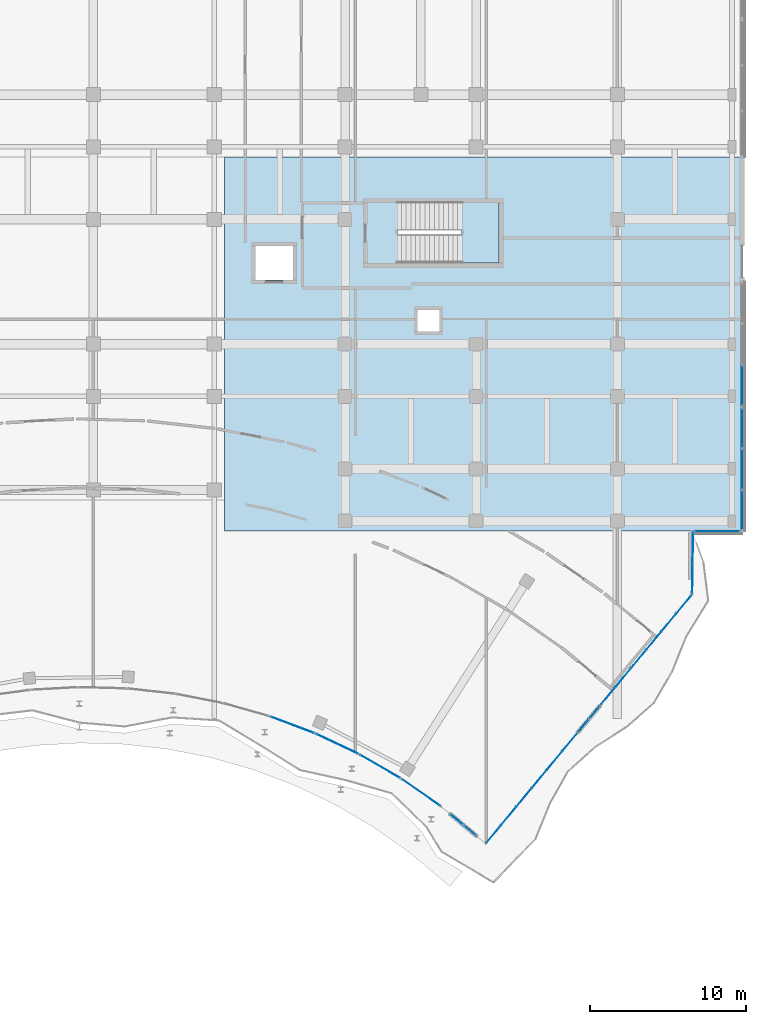
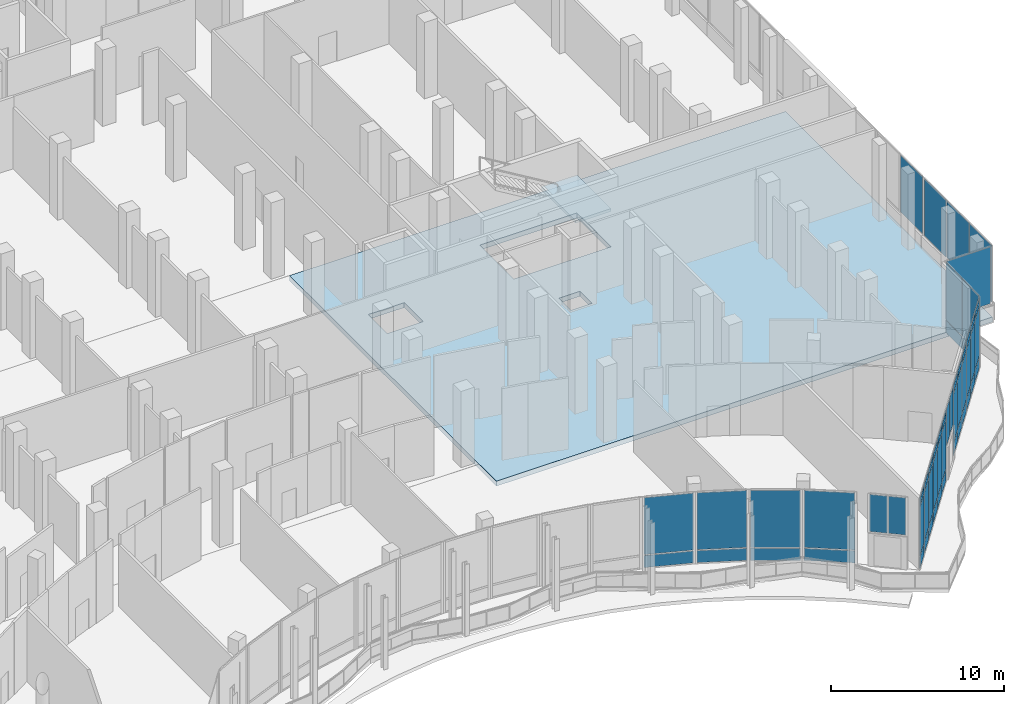
# One storey, part 130 of 158: 57 plates, 2 slabs, 13 elements without a shape of their own.
"""IFC4 building model written with IfcOpenShell, lengths in metres."""

from ifc_helpers import new_model, si_unit, direction, frame, origin, origin_2d, place, context, subcontext, project, spatial, polyline, rectangle, outline, extrude, material, layer, layer_set, type_object, element, aggregate, save


model = new_model("IFC4")

# Units and contexts
model_context = context("Model", 3, precision=1e-05, world=origin(), true_north=direction((0.0, 1.0)))
body_context = subcontext(model_context, "Body", "Model", "MODEL_VIEW")
ifc_project = project(units=[si_unit("LENGTHUNIT", "METRE"), si_unit("AREAUNIT", "SQUARE_METRE"), si_unit("VOLUMEUNIT", "CUBIC_METRE"), si_unit("PLANEANGLEUNIT", "RADIAN"), si_unit("MASSUNIT", "GRAM", prefix="KILO")], contexts=[model_context])

# Site, building, storey
site_placement = place(None, origin())
site = spatial("IfcSite", under=ifc_project, at=site_placement, CompositionType="ELEMENT")
building_placement = place(site_placement, origin())
building = spatial("IfcBuilding", under=site, at=building_placement, Name="Selatvlak General Hospital", CompositionType="ELEMENT")
storey_placement = place(building_placement, origin())
storey = spatial("IfcBuildingStorey", under=building, at=storey_placement, Name="L00", CompositionType="ELEMENT", Elevation=0.0)

# Curtain wall, plate
ifc_material_1 = material(Name="Solar-control Low-E double glazing", Category="glass")
curtain_wall_type_1 = type_object("IfcCurtainWallType", Name="CW-CW-01", PredefinedType="USERDEFINED", material=ifc_material_1)
curtain_wall_1_placement = place(storey_placement, origin())
curtain_wall_1 = element("IfcCurtainWall", 1, at=curtain_wall_1_placement, inside=storey, type_object=curtain_wall_type_1, Name="Glazed facade curtain wall CW-L00-0016", ObjectType="UNITISED CURTAIN WALL", PredefinedType="USERDEFINED")
ifc_layer_1 = layer(ifc_material_1, 0.028076171875, Name="Solar-control Low-E double glazing", Category="glass")
ifc_layer_set_1 = layer_set([ifc_layer_1], Name="Solar-control Low-E double glazing")
plate_type = type_object("IfcPlateType", Name="CWP-01", PredefinedType="CURTAIN_PANEL", material=ifc_layer_set_1)
plate_1_placement = place(storey_placement, frame((182.0, 73.360595703125, 1.0048828125), z_axis=(0.0, 0.0, 1.0), x_axis=(0.0, -1.0, 0.0)))
plate_1 = element("IfcPlate", 2, at=plate_1_placement, type_object=plate_type, Name="CW-01 panel 3.1", PredefinedType="CURTAIN_PANEL", context=body_context, shape_type="SweptSolid", body=[
    extrude(rectangle(XDim=2.55908203125, YDim=0.028076171875, at=origin_2d()), origin(), (0.0, 0.0, 1.0), 4.010009765625),
])
aggregate(curtain_wall_1, [plate_1])

# Curtain wall, plates
curtain_wall_type_2 = type_object("IfcCurtainWallType", Name="CW-CW-02", PredefinedType="USERDEFINED", material=ifc_material_1)
curtain_wall_2_placement = place(storey_placement, origin())
curtain_wall_2 = element("IfcCurtainWall", 3, at=curtain_wall_2_placement, inside=storey, type_object=curtain_wall_type_2, Name="Glazed facade curtain wall CW-L00-0017", ObjectType="UNITISED CURTAIN WALL", PredefinedType="USERDEFINED")
plate_2_placement = place(storey_placement, frame((182.0, 70.599853515625, 1.0048828125), z_axis=(0.0, 0.0, 1.0), x_axis=(0.0, -1.0, 0.0)))
plate_2 = element("IfcPlate", 4, at=plate_2_placement, type_object=plate_type, Name="CW-02 panel 1.1", PredefinedType="CURTAIN_PANEL", context=body_context, shape_type="SweptSolid", body=[
    extrude(rectangle(XDim=2.54248046875, YDim=0.028076171875, at=origin_2d()), origin(), (0.0, 0.0, 1.0), 4.010009765625),
])
plate_3_placement = place(storey_placement, frame((182.0, 67.97607421875, 1.0048828125), z_axis=(0.0, 0.0, 1.0), x_axis=(0.0, -1.0, 0.0)))
plate_3 = element("IfcPlate", 5, at=plate_3_placement, type_object=plate_type, Name="CW-02 panel 2.1", PredefinedType="CURTAIN_PANEL", context=body_context, shape_type="SweptSolid", body=[
    extrude(rectangle(XDim=2.574951171875, YDim=0.028076171875, at=origin_2d()), origin(), (0.0, 0.0, 1.0), 4.010009765625),
])
plate_4_placement = place(storey_placement, frame((182.0, 65.352294921875, 1.0048828125), z_axis=(0.0, 0.0, 1.0), x_axis=(0.0, -1.0, 0.0)))
plate_4 = element("IfcPlate", 6, at=plate_4_placement, type_object=plate_type, Name="CW-02 panel 3.1", PredefinedType="CURTAIN_PANEL", context=body_context, shape_type="SweptSolid", body=[
    extrude(rectangle(XDim=2.54248046875, YDim=0.028076171875, at=origin_2d()), origin(), (0.0, 0.0, 1.0), 4.010009765625),
])
aggregate(curtain_wall_2, [plate_2, plate_3, plate_4])

# Curtain wall, plate
curtain_wall_3_placement = place(storey_placement, origin())
curtain_wall_3 = element("IfcCurtainWall", 7, at=curtain_wall_3_placement, inside=storey, type_object=curtain_wall_type_2, Name="Glazed facade curtain wall CW-L00-0018", ObjectType="UNITISED CURTAIN WALL", PredefinedType="USERDEFINED")
plate_5_placement = place(storey_placement, frame((180.405029296875, 64.00048828125, 1.0048828125), z_axis=(0.0, 0.0, 1.0), x_axis=(-0.999999946602, -0.000326797363, 0.0)))
plate_5 = element("IfcPlate", 8, at=plate_5_placement, type_object=plate_type, Name="CW-02 panel 1.1", PredefinedType="CURTAIN_PANEL", context=body_context, shape_type="SweptSolid", body=[
    extrude(rectangle(XDim=2.929931640625, YDim=0.028076171875, at=origin_2d()), origin(), (0.0, 0.0, 1.0), 4.010009765625),
])
aggregate(curtain_wall_3, [plate_5])

# Curtain wall, plates
curtain_wall_4_placement = place(storey_placement, origin())
curtain_wall_4 = element("IfcCurtainWall", 9, at=curtain_wall_4_placement, inside=storey, type_object=curtain_wall_type_1, Name="Glazed facade curtain wall CW-L00-0019", ObjectType="UNITISED CURTAIN WALL", PredefinedType="USERDEFINED")
plate_6_placement = place(storey_placement, frame((178.8447265625, 62.9638671875, 0.06494140625), z_axis=(0.0, 0.0, 1.0), x_axis=(-0.014923710969, -0.999888635224, 0.0)))
plate_6 = element("IfcPlate", 10, at=plate_6_placement, type_object=plate_type, Name="CW-01 panel 1.1", PredefinedType="CURTAIN_PANEL", context=body_context, shape_type="SweptSolid", body=[
    extrude(rectangle(XDim=1.912841796875, YDim=0.028076171875, at=origin_2d()), origin(), (0.0, 0.0, 1.0), 0.8525390625),
])
plate_7_placement = place(storey_placement, frame((178.8447265625, 62.9638671875, 0.982421875), z_axis=(0.0, 0.0, 1.0), x_axis=(-0.014923710969, -0.999888635224, 0.0)))
plate_7 = element("IfcPlate", 11, at=plate_7_placement, type_object=plate_type, Name="CW-01 panel 1.2", PredefinedType="CURTAIN_PANEL", context=body_context, shape_type="SweptSolid", body=[
    extrude(rectangle(XDim=1.912841796875, YDim=0.028076171875, at=origin_2d()), origin(), (0.0, 0.0, 1.0), 4.032470703125),
])
plate_8_placement = place(storey_placement, frame((178.815185546875, 60.986328125, 0.06494140625), z_axis=(0.0, 0.0, 1.0), x_axis=(-0.014923710969, -0.999888635224, 0.0)))
plate_8 = element("IfcPlate", 12, at=plate_8_placement, type_object=plate_type, Name="CW-01 panel 2.1", PredefinedType="CURTAIN_PANEL", context=body_context, shape_type="SweptSolid", body=[
    extrude(rectangle(XDim=1.912841796875, YDim=0.028076171875, at=origin_2d()), origin(), (0.0, 0.0, 1.0), 0.8525390625),
])
plate_9_placement = place(storey_placement, frame((178.815185546875, 60.986328125, 0.982421875), z_axis=(0.0, 0.0, 1.0), x_axis=(-0.014923710969, -0.999888635224, 0.0)))
plate_9 = element("IfcPlate", 13, at=plate_9_placement, type_object=plate_type, Name="CW-01 panel 2.2", PredefinedType="CURTAIN_PANEL", context=body_context, shape_type="SweptSolid", body=[
    extrude(rectangle(XDim=1.912841796875, YDim=0.028076171875, at=origin_2d()), origin(), (0.0, 0.0, 1.0), 4.032470703125),
])
aggregate(curtain_wall_4, [plate_6, plate_7, plate_8, plate_9])

curtain_wall_5_placement = place(storey_placement, origin())
curtain_wall_5 = element("IfcCurtainWall", 14, at=curtain_wall_5_placement, inside=storey, type_object=curtain_wall_type_2, Name="Glazed facade curtain wall CW-L00-0020", ObjectType="UNITISED CURTAIN WALL", PredefinedType="USERDEFINED")
plate_10_placement = place(storey_placement, frame((172.532958984375, 52.380615234375, 2.385009765625), z_axis=(0.0, 0.0, 1.0), x_axis=(-0.6378834291, -0.770132930655, 0.0)))
plate_10 = element("IfcPlate", 15, at=plate_10_placement, type_object=plate_type, Name="CW-02 panel 1.1", PredefinedType="CURTAIN_PANEL", context=body_context, shape_type="SweptSolid", body=[
    extrude(rectangle(XDim=1.03662109375, YDim=0.028076171875, at=origin_2d()), origin(), (0.0, 0.0, 1.0), 2.6298828125),
])
plate_11_placement = place(storey_placement, frame((171.830078125, 51.5322265625, 2.385009765625), z_axis=(0.0, 0.0, 1.0), x_axis=(-0.6378834291, -0.770132930655, 0.0)))
plate_11 = element("IfcPlate", 16, at=plate_11_placement, type_object=plate_type, Name="CW-02 panel 2.1", PredefinedType="CURTAIN_PANEL", context=body_context, shape_type="SweptSolid", body=[
    extrude(rectangle(XDim=1.03662109375, YDim=0.028076171875, at=origin_2d()), origin(), (0.0, 0.0, 1.0), 2.6298828125),
])
aggregate(curtain_wall_5, [plate_10, plate_11])

curtain_wall_6_placement = place(storey_placement, origin())
curtain_wall_6 = element("IfcCurtainWall", 17, at=curtain_wall_6_placement, inside=storey, type_object=curtain_wall_type_1, Name="Glazed facade curtain wall CW-L00-0021", ObjectType="UNITISED CURTAIN WALL", PredefinedType="USERDEFINED")
plate_12_placement = place(storey_placement, frame((178.261474609375, 59.29931640625, 0.06494140625), z_axis=(0.0, 0.0, 1.0), x_axis=(-0.637739992245, -0.770251713592, 0.0)))
plate_12 = element("IfcPlate", 18, at=plate_12_placement, type_object=plate_type, Name="CW-01 panel 1.1", PredefinedType="CURTAIN_PANEL", context=body_context, shape_type="SweptSolid", body=[
    extrude(rectangle(XDim=1.427001953125, YDim=0.028076171875, at=origin_2d()), origin(), (0.0, 0.0, 1.0), 0.802490234375),
])
plate_13_placement = place(storey_placement, frame((178.261474609375, 59.29931640625, 0.9326171875), z_axis=(0.0, 0.0, 1.0), x_axis=(-0.637739992245, -0.770251713592, 0.0)))
plate_13 = element("IfcPlate", 19, at=plate_13_placement, type_object=plate_type, Name="CW-01 panel 1.2", PredefinedType="CURTAIN_PANEL", context=body_context, shape_type="SweptSolid", body=[
    extrude(rectangle(XDim=1.427001953125, YDim=0.028076171875, at=origin_2d()), origin(), (0.0, 0.0, 1.0), 3.465087890625),
])
plate_14_placement = place(storey_placement, frame((178.261474609375, 59.29931640625, 4.46240234375), z_axis=(0.0, 0.0, 1.0), x_axis=(-0.637739992245, -0.770251713592, 0.0)))
plate_14 = element("IfcPlate", 20, at=plate_14_placement, type_object=plate_type, Name="CW-01 panel 1.3", PredefinedType="CURTAIN_PANEL", context=body_context, shape_type="SweptSolid", body=[
    extrude(rectangle(XDim=1.427001953125, YDim=0.028076171875, at=origin_2d()), origin(), (0.0, 0.0, 1.0), 0.552490234375),
])
plate_15_placement = place(storey_placement, frame((177.2998046875, 58.1376953125, 0.06494140625), z_axis=(0.0, 0.0, 1.0), x_axis=(-0.637739992245, -0.770251713592, 0.0)))
plate_15 = element("IfcPlate", 21, at=plate_15_placement, type_object=plate_type, Name="CW-01 panel 2.1", PredefinedType="CURTAIN_PANEL", context=body_context, shape_type="SweptSolid", body=[
    extrude(rectangle(XDim=1.45947265625, YDim=0.028076171875, at=origin_2d()), origin(), (0.0, 0.0, 1.0), 0.802490234375),
])
plate_16_placement = place(storey_placement, frame((177.2998046875, 58.1376953125, 0.9326171875), z_axis=(0.0, 0.0, 1.0), x_axis=(-0.637739992245, -0.770251713592, 0.0)))
plate_16 = element("IfcPlate", 22, at=plate_16_placement, type_object=plate_type, Name="CW-01 panel 2.2", PredefinedType="CURTAIN_PANEL", context=body_context, shape_type="SweptSolid", body=[
    extrude(rectangle(XDim=1.45947265625, YDim=0.028076171875, at=origin_2d()), origin(), (0.0, 0.0, 1.0), 3.465087890625),
])
plate_17_placement = place(storey_placement, frame((177.2998046875, 58.1376953125, 4.46240234375), z_axis=(0.0, 0.0, 1.0), x_axis=(-0.637739992245, -0.770251713592, 0.0)))
plate_17 = element("IfcPlate", 23, at=plate_17_placement, type_object=plate_type, Name="CW-01 panel 2.3", PredefinedType="CURTAIN_PANEL", context=body_context, shape_type="SweptSolid", body=[
    extrude(rectangle(XDim=1.45947265625, YDim=0.028076171875, at=origin_2d()), origin(), (0.0, 0.0, 1.0), 0.552490234375),
])
plate_18_placement = place(storey_placement, frame((176.32763671875, 56.963623046875, 0.06494140625), z_axis=(0.0, 0.0, 1.0), x_axis=(-0.637739992245, -0.770251713592, 0.0)))
plate_18 = element("IfcPlate", 24, at=plate_18_placement, type_object=plate_type, Name="CW-01 panel 3.1", PredefinedType="CURTAIN_PANEL", context=body_context, shape_type="SweptSolid", body=[
    extrude(rectangle(XDim=1.45947265625, YDim=0.028076171875, at=origin_2d()), origin(), (0.0, 0.0, 1.0), 0.802490234375),
])
plate_19_placement = place(storey_placement, frame((176.32763671875, 56.963623046875, 0.9326171875), z_axis=(0.0, 0.0, 1.0), x_axis=(-0.637739992245, -0.770251713592, 0.0)))
plate_19 = element("IfcPlate", 25, at=plate_19_placement, type_object=plate_type, Name="CW-01 panel 3.2", PredefinedType="CURTAIN_PANEL", context=body_context, shape_type="SweptSolid", body=[
    extrude(rectangle(XDim=1.45947265625, YDim=0.028076171875, at=origin_2d()), origin(), (0.0, 0.0, 1.0), 3.465087890625),
])
plate_20_placement = place(storey_placement, frame((176.32763671875, 56.963623046875, 4.46240234375), z_axis=(0.0, 0.0, 1.0), x_axis=(-0.637739992245, -0.770251713592, 0.0)))
plate_20 = element("IfcPlate", 26, at=plate_20_placement, type_object=plate_type, Name="CW-01 panel 3.3", PredefinedType="CURTAIN_PANEL", context=body_context, shape_type="SweptSolid", body=[
    extrude(rectangle(XDim=1.45947265625, YDim=0.028076171875, at=origin_2d()), origin(), (0.0, 0.0, 1.0), 0.552490234375),
])
plate_21_placement = place(storey_placement, frame((175.35546875, 55.789306640625, 0.06494140625), z_axis=(0.0, 0.0, 1.0), x_axis=(-0.637739992245, -0.770251713592, 0.0)))
plate_21 = element("IfcPlate", 27, at=plate_21_placement, type_object=plate_type, Name="CW-01 panel 4.1", PredefinedType="CURTAIN_PANEL", context=body_context, shape_type="SweptSolid", body=[
    extrude(rectangle(XDim=1.45947265625, YDim=0.028076171875, at=origin_2d()), origin(), (0.0, 0.0, 1.0), 0.802490234375),
])
plate_22_placement = place(storey_placement, frame((175.35546875, 55.789306640625, 0.9326171875), z_axis=(0.0, 0.0, 1.0), x_axis=(-0.637739992245, -0.770251713592, 0.0)))
plate_22 = element("IfcPlate", 28, at=plate_22_placement, type_object=plate_type, Name="CW-01 panel 4.2", PredefinedType="CURTAIN_PANEL", context=body_context, shape_type="SweptSolid", body=[
    extrude(rectangle(XDim=1.45947265625, YDim=0.028076171875, at=origin_2d()), origin(), (0.0, 0.0, 1.0), 3.465087890625),
])
plate_23_placement = place(storey_placement, frame((175.35546875, 55.789306640625, 4.46240234375), z_axis=(0.0, 0.0, 1.0), x_axis=(-0.637739992245, -0.770251713592, 0.0)))
plate_23 = element("IfcPlate", 29, at=plate_23_placement, type_object=plate_type, Name="CW-01 panel 4.3", PredefinedType="CURTAIN_PANEL", context=body_context, shape_type="SweptSolid", body=[
    extrude(rectangle(XDim=1.45947265625, YDim=0.028076171875, at=origin_2d()), origin(), (0.0, 0.0, 1.0), 0.552490234375),
])
plate_24_placement = place(storey_placement, frame((174.38330078125, 54.615234375, 0.06494140625), z_axis=(0.0, 0.0, 1.0), x_axis=(-0.637739992245, -0.770251713592, 0.0)))
plate_24 = element("IfcPlate", 30, at=plate_24_placement, type_object=plate_type, Name="CW-01 panel 5.1", PredefinedType="CURTAIN_PANEL", context=body_context, shape_type="SweptSolid", body=[
    extrude(rectangle(XDim=1.45947265625, YDim=0.028076171875, at=origin_2d()), origin(), (0.0, 0.0, 1.0), 0.802490234375),
])
plate_25_placement = place(storey_placement, frame((174.38330078125, 54.615234375, 0.9326171875), z_axis=(0.0, 0.0, 1.0), x_axis=(-0.637739992245, -0.770251713592, 0.0)))
plate_25 = element("IfcPlate", 31, at=plate_25_placement, type_object=plate_type, Name="CW-01 panel 5.2", PredefinedType="CURTAIN_PANEL", context=body_context, shape_type="SweptSolid", body=[
    extrude(rectangle(XDim=1.45947265625, YDim=0.028076171875, at=origin_2d()), origin(), (0.0, 0.0, 1.0), 3.465087890625),
])
plate_26_placement = place(storey_placement, frame((174.38330078125, 54.615234375, 4.46240234375), z_axis=(0.0, 0.0, 1.0), x_axis=(-0.637739992245, -0.770251713592, 0.0)))
plate_26 = element("IfcPlate", 32, at=plate_26_placement, type_object=plate_type, Name="CW-01 panel 5.3", PredefinedType="CURTAIN_PANEL", context=body_context, shape_type="SweptSolid", body=[
    extrude(rectangle(XDim=1.45947265625, YDim=0.028076171875, at=origin_2d()), origin(), (0.0, 0.0, 1.0), 0.552490234375),
])
plate_27_placement = place(storey_placement, frame((173.42138671875, 53.45361328125, 0.06494140625), z_axis=(0.0, 0.0, 1.0), x_axis=(-0.637739992245, -0.770251713592, 0.0)))
plate_27 = element("IfcPlate", 33, at=plate_27_placement, type_object=plate_type, Name="CW-01 panel 6.1", PredefinedType="CURTAIN_PANEL", context=body_context, shape_type="SweptSolid", body=[
    extrude(rectangle(XDim=1.427001953125, YDim=0.028076171875, at=origin_2d()), origin(), (0.0, 0.0, 1.0), 0.802490234375),
])
plate_28_placement = place(storey_placement, frame((173.42138671875, 53.45361328125, 0.9326171875), z_axis=(0.0, 0.0, 1.0), x_axis=(-0.637739992245, -0.770251713592, 0.0)))
plate_28 = element("IfcPlate", 34, at=plate_28_placement, type_object=plate_type, Name="CW-01 panel 6.2", PredefinedType="CURTAIN_PANEL", context=body_context, shape_type="SweptSolid", body=[
    extrude(rectangle(XDim=1.427001953125, YDim=0.028076171875, at=origin_2d()), origin(), (0.0, 0.0, 1.0), 3.465087890625),
])
plate_29_placement = place(storey_placement, frame((173.42138671875, 53.45361328125, 4.46240234375), z_axis=(0.0, 0.0, 1.0), x_axis=(-0.637739992245, -0.770251713592, 0.0)))
plate_29 = element("IfcPlate", 35, at=plate_29_placement, type_object=plate_type, Name="CW-01 panel 6.3", PredefinedType="CURTAIN_PANEL", context=body_context, shape_type="SweptSolid", body=[
    extrude(rectangle(XDim=1.427001953125, YDim=0.028076171875, at=origin_2d()), origin(), (0.0, 0.0, 1.0), 0.552490234375),
])
aggregate(curtain_wall_6, [plate_12, plate_13, plate_14, plate_15, plate_16, plate_17, plate_18, plate_19, plate_20, plate_21, plate_22, plate_23, plate_24, plate_25, plate_26, plate_27, plate_28, plate_29])

curtain_wall_7_placement = place(storey_placement, origin())
curtain_wall_7 = element("IfcCurtainWall", 36, at=curtain_wall_7_placement, inside=storey, type_object=curtain_wall_type_1, Name="Glazed facade curtain wall CW-L00-0022", ObjectType="UNITISED CURTAIN WALL", PredefinedType="USERDEFINED")
plate_30_placement = place(storey_placement, frame((170.93896484375, 50.4560546875, 0.06494140625), z_axis=(0.0, 0.0, 1.0), x_axis=(-0.637721247938, -0.770267232802, 0.0)))
plate_30 = element("IfcPlate", 37, at=plate_30_placement, type_object=plate_type, Name="CW-01 panel 1.1", PredefinedType="CURTAIN_PANEL", context=body_context, shape_type="SweptSolid", body=[
    extrude(rectangle(XDim=1.435302734375, YDim=0.028076171875, at=origin_2d()), origin(), (0.0, 0.0, 1.0), 0.802490234375),
])
plate_31_placement = place(storey_placement, frame((170.93896484375, 50.4560546875, 0.9326171875), z_axis=(0.0, 0.0, 1.0), x_axis=(-0.637721247938, -0.770267232802, 0.0)))
plate_31 = element("IfcPlate", 38, at=plate_31_placement, type_object=plate_type, Name="CW-01 panel 1.2", PredefinedType="CURTAIN_PANEL", context=body_context, shape_type="SweptSolid", body=[
    extrude(rectangle(XDim=1.435302734375, YDim=0.028076171875, at=origin_2d()), origin(), (0.0, 0.0, 1.0), 3.465087890625),
])
plate_32_placement = place(storey_placement, frame((170.93896484375, 50.4560546875, 4.46240234375), z_axis=(0.0, 0.0, 1.0), x_axis=(-0.637721247938, -0.770267232802, 0.0)))
plate_32 = element("IfcPlate", 39, at=plate_32_placement, type_object=plate_type, Name="CW-01 panel 1.3", PredefinedType="CURTAIN_PANEL", context=body_context, shape_type="SweptSolid", body=[
    extrude(rectangle(XDim=1.435302734375, YDim=0.028076171875, at=origin_2d()), origin(), (0.0, 0.0, 1.0), 0.552490234375),
])
plate_33_placement = place(storey_placement, frame((169.9716796875, 49.2880859375, 0.06494140625), z_axis=(0.0, 0.0, 1.0), x_axis=(-0.637721247938, -0.770267232802, 0.0)))
plate_33 = element("IfcPlate", 40, at=plate_33_placement, type_object=plate_type, Name="CW-01 panel 2.1", PredefinedType="CURTAIN_PANEL", context=body_context, shape_type="SweptSolid", body=[
    extrude(rectangle(XDim=1.4677734375, YDim=0.028076171875, at=origin_2d()), origin(), (0.0, 0.0, 1.0), 0.802490234375),
])
plate_34_placement = place(storey_placement, frame((169.9716796875, 49.2880859375, 0.9326171875), z_axis=(0.0, 0.0, 1.0), x_axis=(-0.637721247938, -0.770267232802, 0.0)))
plate_34 = element("IfcPlate", 41, at=plate_34_placement, type_object=plate_type, Name="CW-01 panel 2.2", PredefinedType="CURTAIN_PANEL", context=body_context, shape_type="SweptSolid", body=[
    extrude(rectangle(XDim=1.4677734375, YDim=0.028076171875, at=origin_2d()), origin(), (0.0, 0.0, 1.0), 3.465087890625),
])
plate_35_placement = place(storey_placement, frame((169.9716796875, 49.2880859375, 4.46240234375), z_axis=(0.0, 0.0, 1.0), x_axis=(-0.637721247938, -0.770267232802, 0.0)))
plate_35 = element("IfcPlate", 42, at=plate_35_placement, type_object=plate_type, Name="CW-01 panel 2.3", PredefinedType="CURTAIN_PANEL", context=body_context, shape_type="SweptSolid", body=[
    extrude(rectangle(XDim=1.4677734375, YDim=0.028076171875, at=origin_2d()), origin(), (0.0, 0.0, 1.0), 0.552490234375),
])
plate_36_placement = place(storey_placement, frame((168.994140625, 48.107421875, 0.06494140625), z_axis=(0.0, 0.0, 1.0), x_axis=(-0.637721247938, -0.770267232802, 0.0)))
plate_36 = element("IfcPlate", 43, at=plate_36_placement, type_object=plate_type, Name="CW-01 panel 3.1", PredefinedType="CURTAIN_PANEL", context=body_context, shape_type="SweptSolid", body=[
    extrude(rectangle(XDim=1.4677734375, YDim=0.028076171875, at=origin_2d()), origin(), (0.0, 0.0, 1.0), 0.802490234375),
])
plate_37_placement = place(storey_placement, frame((168.994140625, 48.107421875, 0.9326171875), z_axis=(0.0, 0.0, 1.0), x_axis=(-0.637721247938, -0.770267232802, 0.0)))
plate_37 = element("IfcPlate", 44, at=plate_37_placement, type_object=plate_type, Name="CW-01 panel 3.2", PredefinedType="CURTAIN_PANEL", context=body_context, shape_type="SweptSolid", body=[
    extrude(rectangle(XDim=1.4677734375, YDim=0.028076171875, at=origin_2d()), origin(), (0.0, 0.0, 1.0), 3.465087890625),
])
plate_38_placement = place(storey_placement, frame((168.994140625, 48.107421875, 4.46240234375), z_axis=(0.0, 0.0, 1.0), x_axis=(-0.637721247938, -0.770267232802, 0.0)))
plate_38 = element("IfcPlate", 45, at=plate_38_placement, type_object=plate_type, Name="CW-01 panel 3.3", PredefinedType="CURTAIN_PANEL", context=body_context, shape_type="SweptSolid", body=[
    extrude(rectangle(XDim=1.4677734375, YDim=0.028076171875, at=origin_2d()), origin(), (0.0, 0.0, 1.0), 0.552490234375),
])
plate_39_placement = place(storey_placement, frame((168.016845703125, 46.9267578125, 0.06494140625), z_axis=(0.0, 0.0, 1.0), x_axis=(-0.637721247938, -0.770267232802, 0.0)))
plate_39 = element("IfcPlate", 46, at=plate_39_placement, type_object=plate_type, Name="CW-01 panel 4.1", PredefinedType="CURTAIN_PANEL", context=body_context, shape_type="SweptSolid", body=[
    extrude(rectangle(XDim=1.4677734375, YDim=0.028076171875, at=origin_2d()), origin(), (0.0, 0.0, 1.0), 0.802490234375),
])
plate_40_placement = place(storey_placement, frame((168.016845703125, 46.9267578125, 0.9326171875), z_axis=(0.0, 0.0, 1.0), x_axis=(-0.637721247938, -0.770267232802, 0.0)))
plate_40 = element("IfcPlate", 47, at=plate_40_placement, type_object=plate_type, Name="CW-01 panel 4.2", PredefinedType="CURTAIN_PANEL", context=body_context, shape_type="SweptSolid", body=[
    extrude(rectangle(XDim=1.4677734375, YDim=0.028076171875, at=origin_2d()), origin(), (0.0, 0.0, 1.0), 3.465087890625),
])
plate_41_placement = place(storey_placement, frame((168.016845703125, 46.9267578125, 4.46240234375), z_axis=(0.0, 0.0, 1.0), x_axis=(-0.637721247938, -0.770267232802, 0.0)))
plate_41 = element("IfcPlate", 48, at=plate_41_placement, type_object=plate_type, Name="CW-01 panel 4.3", PredefinedType="CURTAIN_PANEL", context=body_context, shape_type="SweptSolid", body=[
    extrude(rectangle(XDim=1.4677734375, YDim=0.028076171875, at=origin_2d()), origin(), (0.0, 0.0, 1.0), 0.552490234375),
])
plate_42_placement = place(storey_placement, frame((167.039306640625, 45.74609375, 0.06494140625), z_axis=(0.0, 0.0, 1.0), x_axis=(-0.637721247938, -0.770267232802, 0.0)))
plate_42 = element("IfcPlate", 49, at=plate_42_placement, type_object=plate_type, Name="CW-01 panel 5.1", PredefinedType="CURTAIN_PANEL", context=body_context, shape_type="SweptSolid", body=[
    extrude(rectangle(XDim=1.4677734375, YDim=0.028076171875, at=origin_2d()), origin(), (0.0, 0.0, 1.0), 0.802490234375),
])
plate_43_placement = place(storey_placement, frame((167.039306640625, 45.74609375, 0.9326171875), z_axis=(0.0, 0.0, 1.0), x_axis=(-0.637721247938, -0.770267232802, 0.0)))
plate_43 = element("IfcPlate", 50, at=plate_43_placement, type_object=plate_type, Name="CW-01 panel 5.2", PredefinedType="CURTAIN_PANEL", context=body_context, shape_type="SweptSolid", body=[
    extrude(rectangle(XDim=1.4677734375, YDim=0.028076171875, at=origin_2d()), origin(), (0.0, 0.0, 1.0), 3.465087890625),
])
plate_44_placement = place(storey_placement, frame((167.039306640625, 45.74609375, 4.46240234375), z_axis=(0.0, 0.0, 1.0), x_axis=(-0.637721247938, -0.770267232802, 0.0)))
plate_44 = element("IfcPlate", 51, at=plate_44_placement, type_object=plate_type, Name="CW-01 panel 5.3", PredefinedType="CURTAIN_PANEL", context=body_context, shape_type="SweptSolid", body=[
    extrude(rectangle(XDim=1.4677734375, YDim=0.028076171875, at=origin_2d()), origin(), (0.0, 0.0, 1.0), 0.552490234375),
])
plate_45_placement = place(storey_placement, frame((166.072021484375, 44.577880859375, 0.06494140625), z_axis=(0.0, 0.0, 1.0), x_axis=(-0.637721247938, -0.770267232802, 0.0)))
plate_45 = element("IfcPlate", 52, at=plate_45_placement, type_object=plate_type, Name="CW-01 panel 6.1", PredefinedType="CURTAIN_PANEL", context=body_context, shape_type="SweptSolid", body=[
    extrude(rectangle(XDim=1.435302734375, YDim=0.028076171875, at=origin_2d()), origin(), (0.0, 0.0, 1.0), 0.802490234375),
])
plate_46_placement = place(storey_placement, frame((166.072021484375, 44.577880859375, 0.9326171875), z_axis=(0.0, 0.0, 1.0), x_axis=(-0.637721247938, -0.770267232802, 0.0)))
plate_46 = element("IfcPlate", 53, at=plate_46_placement, type_object=plate_type, Name="CW-01 panel 6.2", PredefinedType="CURTAIN_PANEL", context=body_context, shape_type="SweptSolid", body=[
    extrude(rectangle(XDim=1.435302734375, YDim=0.028076171875, at=origin_2d()), origin(), (0.0, 0.0, 1.0), 3.465087890625),
])
plate_47_placement = place(storey_placement, frame((166.072021484375, 44.577880859375, 4.46240234375), z_axis=(0.0, 0.0, 1.0), x_axis=(-0.637721247938, -0.770267232802, 0.0)))
plate_47 = element("IfcPlate", 54, at=plate_47_placement, type_object=plate_type, Name="CW-01 panel 6.3", PredefinedType="CURTAIN_PANEL", context=body_context, shape_type="SweptSolid", body=[
    extrude(rectangle(XDim=1.435302734375, YDim=0.028076171875, at=origin_2d()), origin(), (0.0, 0.0, 1.0), 0.552490234375),
])
aggregate(curtain_wall_7, [plate_30, plate_31, plate_32, plate_33, plate_34, plate_35, plate_36, plate_37, plate_38, plate_39, plate_40, plate_41, plate_42, plate_43, plate_44, plate_45, plate_46, plate_47])

curtain_wall_8_placement = place(storey_placement, origin())
curtain_wall_8 = element("IfcCurtainWall", 55, at=curtain_wall_8_placement, inside=storey, type_object=curtain_wall_type_2, Name="Glazed facade curtain wall CW-L00-0023", ObjectType="UNITISED CURTAIN WALL", PredefinedType="USERDEFINED")
plate_48_placement = place(storey_placement, frame((164.553466796875, 44.804443359375, 2.385009765625), z_axis=(0.0, 0.0, 1.0), x_axis=(-0.768510158385, 0.639837586001, 0.0)))
plate_48 = element("IfcPlate", 56, at=plate_48_placement, type_object=plate_type, Name="CW-02 panel 1.1", PredefinedType="CURTAIN_PANEL", context=body_context, shape_type="SweptSolid", body=[
    extrude(rectangle(XDim=1.037109375, YDim=0.028076171875, at=origin_2d()), origin(), (0.0, 0.0, 1.0), 2.6298828125),
])
plate_49_placement = place(storey_placement, frame((163.70654296875, 45.509521484375, 2.385009765625), z_axis=(0.0, 0.0, 1.0), x_axis=(-0.768510158385, 0.639837586001, 0.0)))
plate_49 = element("IfcPlate", 57, at=plate_49_placement, type_object=plate_type, Name="CW-02 panel 2.1", PredefinedType="CURTAIN_PANEL", context=body_context, shape_type="SweptSolid", body=[
    extrude(rectangle(XDim=1.037109375, YDim=0.028076171875, at=origin_2d()), origin(), (0.0, 0.0, 1.0), 2.6298828125),
])
aggregate(curtain_wall_8, [plate_48, plate_49])

curtain_wall_9_placement = place(storey_placement, origin())
curtain_wall_9 = element("IfcCurtainWall", 58, at=curtain_wall_9_placement, inside=storey, type_object=curtain_wall_type_2, Name="Glazed facade curtain wall CW-L00-0024", ObjectType="UNITISED CURTAIN WALL", PredefinedType="USERDEFINED")
plate_50_placement = place(storey_placement, frame((161.42041015625, 47.240478515625, 0.06494140625), z_axis=(0.0, 0.0, 1.0), x_axis=(-0.820647175735, 0.571435222014, 0.0)))
plate_50 = element("IfcPlate", 59, at=plate_50_placement, type_object=plate_type, Name="CW-02 panel 1.1", PredefinedType="CURTAIN_PANEL", context=body_context, shape_type="SweptSolid", body=[
    extrude(rectangle(XDim=2.95166015625, YDim=0.028076171875, at=origin_2d()), origin(), (0.0, 0.0, 1.0), 0.8525390625),
])
plate_51_placement = place(storey_placement, frame((161.42041015625, 47.240478515625, 0.982421875), z_axis=(0.0, 0.0, 1.0), x_axis=(-0.820647175735, 0.571435222014, 0.0)))
plate_51 = element("IfcPlate", 60, at=plate_51_placement, type_object=plate_type, Name="CW-02 panel 1.2", PredefinedType="CURTAIN_PANEL", context=body_context, shape_type="SweptSolid", body=[
    extrude(rectangle(XDim=2.95166015625, YDim=0.028076171875, at=origin_2d()), origin(), (0.0, 0.0, 1.0), 4.032470703125),
])
aggregate(curtain_wall_9, [plate_50, plate_51])

curtain_wall_10_placement = place(storey_placement, origin())
curtain_wall_10 = element("IfcCurtainWall", 61, at=curtain_wall_10_placement, inside=storey, type_object=curtain_wall_type_1, Name="Glazed facade curtain wall CW-L00-0025", ObjectType="UNITISED CURTAIN WALL", PredefinedType="USERDEFINED")
plate_52_placement = place(storey_placement, frame((158.77587890625, 48.923583984375, 0.06494140625), z_axis=(0.0, 0.0, 1.0), x_axis=(-0.865162807212, 0.501491093657, 0.0)))
plate_52 = element("IfcPlate", 62, at=plate_52_placement, type_object=plate_type, Name="CW-01 panel 1.1", PredefinedType="CURTAIN_PANEL", context=body_context, shape_type="SweptSolid", body=[
    extrude(rectangle(XDim=2.903076171875, YDim=0.028076171875, at=origin_2d()), origin(), (0.0, 0.0, 1.0), 0.8525390625),
])
plate_53_placement = place(storey_placement, frame((158.77587890625, 48.923583984375, 0.982421875), z_axis=(0.0, 0.0, 1.0), x_axis=(-0.865162807212, 0.501491093657, 0.0)))
plate_53 = element("IfcPlate", 63, at=plate_53_placement, type_object=plate_type, Name="CW-01 panel 1.2", PredefinedType="CURTAIN_PANEL", context=body_context, shape_type="SweptSolid", body=[
    extrude(rectangle(XDim=2.903076171875, YDim=0.028076171875, at=origin_2d()), origin(), (0.0, 0.0, 1.0), 4.032470703125),
])
aggregate(curtain_wall_10, [plate_52, plate_53])

curtain_wall_11_placement = place(storey_placement, origin())
curtain_wall_11 = element("IfcCurtainWall", 64, at=curtain_wall_11_placement, inside=storey, type_object=curtain_wall_type_2, Name="Glazed facade curtain wall CW-L00-0026", ObjectType="UNITISED CURTAIN WALL", PredefinedType="USERDEFINED")
plate_54_placement = place(storey_placement, frame((156.021484375, 50.368896484375, 0.06494140625), z_axis=(0.0, 0.0, 1.0), x_axis=(-0.903529659343, 0.428525558966, 0.0)))
plate_54 = element("IfcPlate", 65, at=plate_54_placement, type_object=plate_type, Name="CW-02 panel 1.1", PredefinedType="CURTAIN_PANEL", context=body_context, shape_type="SweptSolid", body=[
    extrude(rectangle(XDim=2.903564453125, YDim=0.028076171875, at=origin_2d()), origin(), (0.0, 0.0, 1.0), 0.8525390625),
])
plate_55_placement = place(storey_placement, frame((156.021484375, 50.368896484375, 0.982421875), z_axis=(0.0, 0.0, 1.0), x_axis=(-0.903529659343, 0.428525558966, 0.0)))
plate_55 = element("IfcPlate", 66, at=plate_55_placement, type_object=plate_type, Name="CW-02 panel 1.2", PredefinedType="CURTAIN_PANEL", context=body_context, shape_type="SweptSolid", body=[
    extrude(rectangle(XDim=2.903564453125, YDim=0.028076171875, at=origin_2d()), origin(), (0.0, 0.0, 1.0), 4.032470703125),
])
aggregate(curtain_wall_11, [plate_54, plate_55])

curtain_wall_12_placement = place(storey_placement, origin())
curtain_wall_12 = element("IfcCurtainWall", 67, at=curtain_wall_12_placement, inside=storey, type_object=curtain_wall_type_1, Name="Glazed facade curtain wall CW-L00-0027", ObjectType="UNITISED CURTAIN WALL", PredefinedType="USERDEFINED")
plate_56_placement = place(storey_placement, frame((153.157470703125, 51.58154296875, 0.06494140625), z_axis=(0.0, 0.0, 1.0), x_axis=(-0.935989779927, 0.352027174905, 0.0)))
plate_56 = element("IfcPlate", 68, at=plate_56_placement, type_object=plate_type, Name="CW-01 panel 1.1", PredefinedType="CURTAIN_PANEL", context=body_context, shape_type="SweptSolid", body=[
    extrude(rectangle(XDim=2.901123046875, YDim=0.028076171875, at=origin_2d()), origin(), (0.0, 0.0, 1.0), 0.8525390625),
])
plate_57_placement = place(storey_placement, frame((153.157470703125, 51.58154296875, 0.982421875), z_axis=(0.0, 0.0, 1.0), x_axis=(-0.935989779927, 0.352027174905, 0.0)))
plate_57 = element("IfcPlate", 69, at=plate_57_placement, type_object=plate_type, Name="CW-01 panel 1.2", PredefinedType="CURTAIN_PANEL", context=body_context, shape_type="SweptSolid", body=[
    extrude(rectangle(XDim=2.901123046875, YDim=0.028076171875, at=origin_2d()), origin(), (0.0, 0.0, 1.0), 4.032470703125),
])
aggregate(curtain_wall_12, [plate_56, plate_57])

# Stair, slab
ifc_material_2 = material(Name="Precast concrete C40/50", Category="concrete")
stair_type = type_object("IfcStairType", Name="STAIR-ST-06", PredefinedType="HALF_TURN_STAIR", material=ifc_material_2)
stair_placement = place(storey_placement, origin())
stair = element("IfcStair", 70, at=stair_placement, inside=storey, type_object=stair_type, Name="L00 Protected exit stair ST-06", PredefinedType="HALF_TURN_STAIR")
ifc_material_3 = material(Name="Concrete C40/50", Category="concrete")
ifc_layer_2 = layer(ifc_material_3, 0.199951171875, Name="Concrete C40/50", Category="concrete")
ifc_layer_set_2 = layer_set([ifc_layer_2], Name="Concrete C40/50")
slab_type_1 = type_object("IfcSlabType", Name="SLAB-LND1", PredefinedType="LANDING", material=ifc_layer_set_2)
slab_1_placement = place(storey_placement, frame((0.0, 0.0, 2.5)))
slab_1 = element("IfcSlab", 71, at=slab_1_placement, type_object=slab_type_1, Name="ST-06 landing 1", PredefinedType="LANDING", context=body_context, shape_type="SweptSolid", body=[
    extrude(outline(polyline([(164.014892578125, 81.199951171875), (166.39990234375, 81.199951171875), (166.39990234375, 85.139892578125), (164.014892578125, 85.139892578125), (164.014892578125, 81.199951171875)])), origin(), (0.0, 0.0, 1.0), 0.199951171875),
])
aggregate(stair, [slab_1])

# Slab
ifc_layer_3 = layer(ifc_material_3, 0.35009765625, Name="Concrete C40/50", Category="concrete")
ifc_layer_set_3 = layer_set([ifc_layer_3], Name="Concrete C40/50")
slab_type_2 = type_object("IfcSlabType", Name="SLAB-SL-FL0", PredefinedType="FLOOR", material=ifc_layer_set_3)
slab_2_placement = place(storey_placement, frame((0.0, 0.0, -0.35009765625)))
element("IfcSlab", 72, at=slab_2_placement, inside=storey, type_object=slab_type_2, Name="L00 V5E structural slab", PredefinedType="FLOOR", context=body_context, shape_type="SweptSolid", body=[
    extrude(outline(polyline([(148.80810546875, 87.991943359375), (182.0, 87.991943359375), (182.0, 64.0), (148.800048828125, 64.0), (148.80810546875, 87.991943359375)]), holes=[polyline([(159.905029296875, 85.139892578125), (159.905029296875, 81.199951171875), (166.39990234375, 81.199951171875), (166.39990234375, 85.139892578125), (159.905029296875, 85.139892578125)]), polyline([(150.800048828125, 82.300048828125), (150.800048828125, 80.10009765625), (153.199951171875, 80.10009765625), (153.199951171875, 82.300048828125), (150.800048828125, 82.300048828125)]), polyline([(162.60009765625, 78.199951171875), (161.199951171875, 78.199951171875), (161.199951171875, 76.800048828125), (162.60009765625, 76.800048828125), (162.60009765625, 78.199951171875)])]), origin(), (0.0, 0.0, 1.0), 0.35009765625),
])

save(model, "model.ifc")
